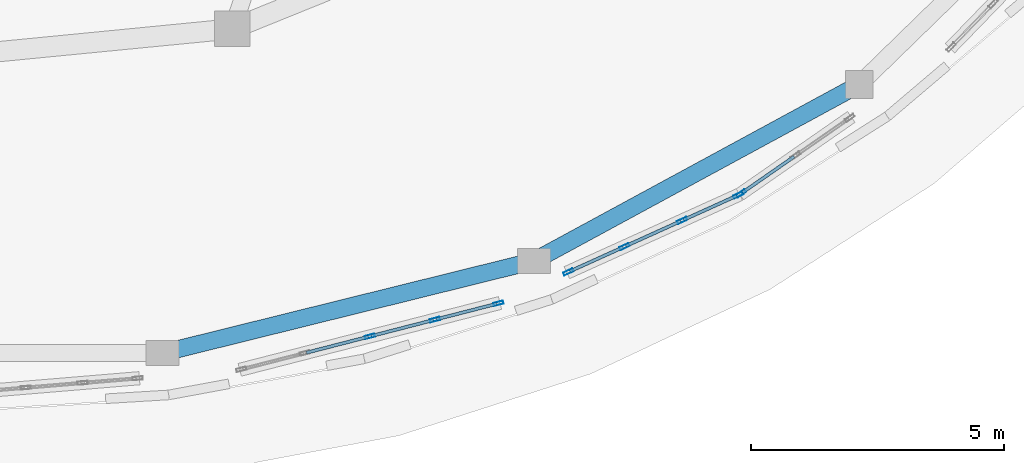
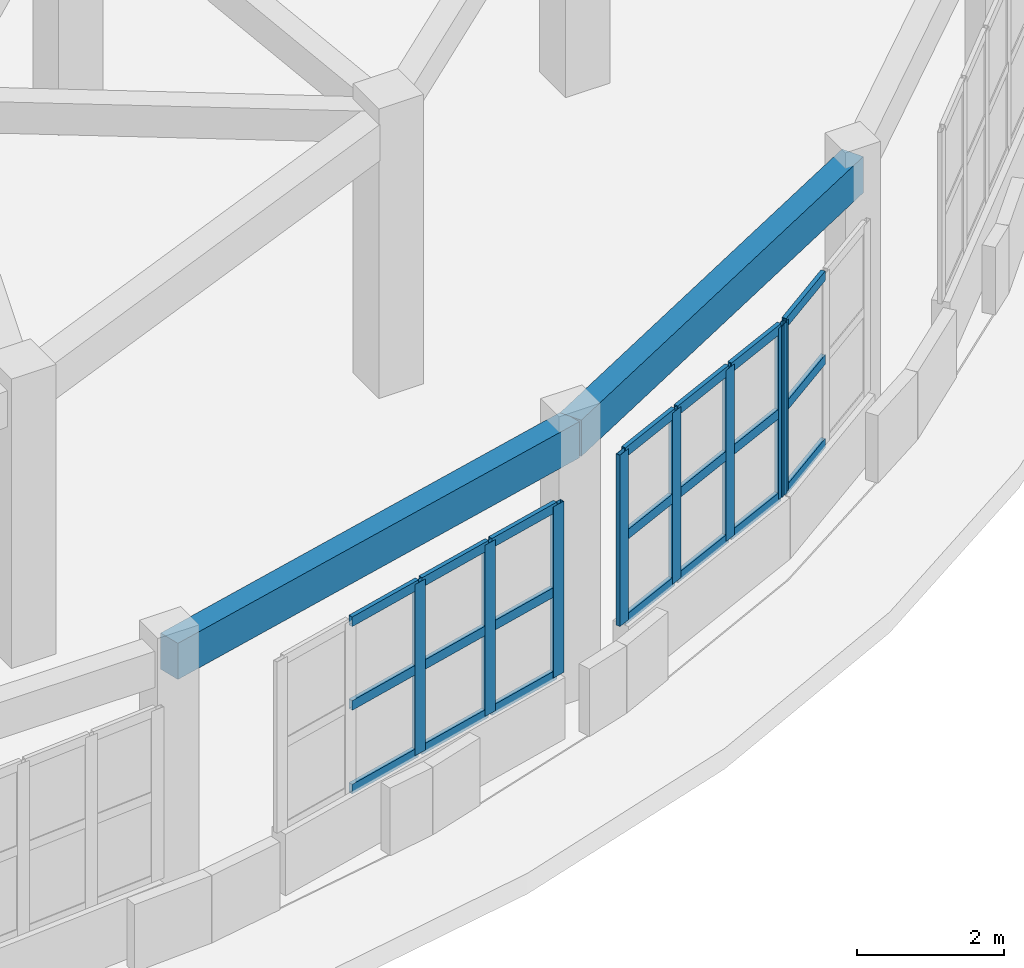
# One storey, part 29 of 98: 29 members, 2 beams, 3 elements without a shape of their own.
"""IFC4 building model written with IfcOpenShell, lengths in metres."""

from ifc_helpers import new_model, si_unit, direction, frame, origin, origin_2d, place, context, subcontext, project, spatial, rectangle, hollow_rectangle, extrude, material, layer, layer_set, material_profile, profile_set, type_object, element, aggregate, save


model = new_model("IFC4")

# Units and contexts
model_context = context("Model", 3, precision=1e-05, world=origin(), true_north=direction((0.0, 1.0)))
body_context = subcontext(model_context, "Body", "Model", "MODEL_VIEW")
ifc_project = project(units=[si_unit("LENGTHUNIT", "METRE"), si_unit("AREAUNIT", "SQUARE_METRE"), si_unit("VOLUMEUNIT", "CUBIC_METRE"), si_unit("PLANEANGLEUNIT", "RADIAN"), si_unit("MASSUNIT", "GRAM", prefix="KILO")], contexts=[model_context])

# Site, building, storey
site_placement = place(None, origin())
site = spatial("IfcSite", under=ifc_project, at=site_placement, CompositionType="ELEMENT")
building_placement = place(site_placement, origin())
building = spatial("IfcBuilding", under=site, at=building_placement, Name="Pelvatis Terrace Science Centre", CompositionType="ELEMENT")
storey_placement = place(building_placement, frame((0.0, 0.0, 5.39990234375)))
storey = spatial("IfcBuildingStorey", under=building, at=storey_placement, Name="L01", CompositionType="ELEMENT", Elevation=5.39990234375)

# Curtain wall, members
ifc_material_1 = material(Name="Bronze-anodised aluminium and laminated glass", Category="aluminium")
ifc_layer = layer(ifc_material_1, 0.199951171875)
ifc_layer_set = layer_set([ifc_layer], Name="Bronze-anodised aluminium and laminated glass")
curtain_wall_type = type_object("IfcCurtainWallType", Name="CW-RIBBON-B", PredefinedType="NOTDEFINED", material=ifc_layer_set)
curtain_wall_1_placement = place(storey_placement, origin())
curtain_wall_1 = element("IfcCurtainWall", 1, at=curtain_wall_1_placement, inside=storey, type_object=curtain_wall_type, Name="Ribbon curtain wall CW-148 (L01)", PredefinedType="NOTDEFINED")
ifc_material_2 = material(Name="Bronze-anodised aluminium 6063-T6", Category="aluminium")
ifc_material_profile_1 = material_profile(ifc_material_2, hollow_rectangle(XDim=0.06494140625, YDim=0.199951171875, WallThickness=0.00439453125, at=origin_2d()), Name="ALU-MUL 65x200")
ifc_profile_set_1 = profile_set([ifc_material_profile_1], Name="Bronze-anodised aluminium 6063-T6")
member_type_1 = type_object("IfcMemberType", Name="CWM-65x200", PredefinedType="MULLION", material=ifc_profile_set_1)
member_1_placement = place(storey_placement, frame((119.030029296875, 60.658203125, 1.02001953125), z_axis=(0.0, 0.0, 1.0), x_axis=(-0.248854534923, 0.968540871852, 0.0)))
member_1 = element("IfcMember", 2, at=member_1_placement, type_object=member_type_1, Name="CW-148 mullion 3", PredefinedType="MULLION", context=body_context, shape_type="SweptSolid", body=[
    extrude(hollow_rectangle(XDim=0.06494140625, YDim=0.199951171875, WallThickness=0.00439453125, at=origin_2d()), origin(), (0.0, 0.0, 1.0), 2.840087890625),
])
member_2_placement = place(storey_placement, frame((120.3173828125, 60.989013671875, 1.02001953125), z_axis=(0.0, 0.0, 1.0), x_axis=(-0.248854534923, 0.968540871852, 0.0)))
member_2 = element("IfcMember", 3, at=member_2_placement, type_object=member_type_1, Name="CW-148 mullion 4", PredefinedType="MULLION", context=body_context, shape_type="SweptSolid", body=[
    extrude(hollow_rectangle(XDim=0.06494140625, YDim=0.199951171875, WallThickness=0.00439453125, at=origin_2d()), origin(), (0.0, 0.0, 1.0), 2.840087890625),
])
member_3_placement = place(storey_placement, frame((121.5732421875, 61.311767578125, 1.02001953125), z_axis=(0.0, 0.0, 1.0), x_axis=(-0.248854534923, 0.968540871852, 0.0)))
member_3 = element("IfcMember", 4, at=member_3_placement, type_object=member_type_1, Name="CW-148 mullion 5", PredefinedType="MULLION", context=body_context, shape_type="SweptSolid", body=[
    extrude(hollow_rectangle(XDim=0.06494140625, YDim=0.199951171875, WallThickness=0.00439453125, at=origin_2d()), origin(), (0.0, 0.0, 1.0), 2.840087890625),
])

curtain_wall_2_placement = place(storey_placement, origin())
curtain_wall_2 = element("IfcCurtainWall", 5, at=curtain_wall_2_placement, inside=storey, type_object=curtain_wall_type, Name="Ribbon curtain wall CW-149 (L01)", PredefinedType="NOTDEFINED")
member_4_placement = place(storey_placement, frame((122.958251953125, 61.9326171875, 1.02001953125), z_axis=(0.0, 0.0, 1.0), x_axis=(-0.412430433047, 0.910989098671, 0.0)))
member_4 = element("IfcMember", 6, at=member_4_placement, type_object=member_type_1, Name="CW-149 mullion 1", PredefinedType="MULLION", context=body_context, shape_type="SweptSolid", body=[
    extrude(hollow_rectangle(XDim=0.06494140625, YDim=0.199951171875, WallThickness=0.00439453125, at=origin_2d()), origin(), (0.0, 0.0, 1.0), 2.840087890625),
])
member_5_placement = place(storey_placement, frame((124.0693359375, 62.435546875, 1.02001953125), z_axis=(0.0, 0.0, 1.0), x_axis=(-0.412430433047, 0.910989098671, 0.0)))
member_5 = element("IfcMember", 7, at=member_5_placement, type_object=member_type_1, Name="CW-149 mullion 2", PredefinedType="MULLION", context=body_context, shape_type="SweptSolid", body=[
    extrude(hollow_rectangle(XDim=0.06494140625, YDim=0.199951171875, WallThickness=0.00439453125, at=origin_2d()), origin(), (0.0, 0.0, 1.0), 2.840087890625),
])
member_6_placement = place(storey_placement, frame((125.209716796875, 62.951904296875, 1.02001953125), z_axis=(0.0, 0.0, 1.0), x_axis=(-0.412430433047, 0.910989098671, 0.0)))
member_6 = element("IfcMember", 8, at=member_6_placement, type_object=member_type_1, Name="CW-149 mullion 3", PredefinedType="MULLION", context=body_context, shape_type="SweptSolid", body=[
    extrude(hollow_rectangle(XDim=0.06494140625, YDim=0.199951171875, WallThickness=0.00439453125, at=origin_2d()), origin(), (0.0, 0.0, 1.0), 2.840087890625),
])
member_7_placement = place(storey_placement, frame((126.32080078125, 63.454833984375, 1.02001953125), z_axis=(0.0, 0.0, 1.0), x_axis=(-0.412430433047, 0.910989098671, 0.0)))
member_7 = element("IfcMember", 9, at=member_7_placement, type_object=member_type_1, Name="CW-149 mullion 4", PredefinedType="MULLION", context=body_context, shape_type="SweptSolid", body=[
    extrude(hollow_rectangle(XDim=0.06494140625, YDim=0.199951171875, WallThickness=0.00439453125, at=origin_2d()), origin(), (0.0, 0.0, 1.0), 2.840087890625),
])

# Curtain wall, member
curtain_wall_3_placement = place(storey_placement, origin())
curtain_wall_3 = element("IfcCurtainWall", 10, at=curtain_wall_3_placement, inside=storey, type_object=curtain_wall_type, Name="Ribbon curtain wall CW-150 (L01)", PredefinedType="NOTDEFINED")
member_8_placement = place(storey_placement, frame((126.377197265625, 63.48681640625, 1.02001953125), z_axis=(0.0, 0.0, 1.0), x_axis=(-0.570774124672, 0.821107117619, 0.0)))
member_8 = element("IfcMember", 11, at=member_8_placement, type_object=member_type_1, Name="CW-150 mullion 1", PredefinedType="MULLION", context=body_context, shape_type="SweptSolid", body=[
    extrude(hollow_rectangle(XDim=0.06494140625, YDim=0.199951171875, WallThickness=0.00439453125, at=origin_2d()), origin(), (0.0, 0.0, 1.0), 2.840087890625),
])

# Member
ifc_material_3 = material(Name="Bronze-anodised aluminium 6063-T6", Category="aluminium")
ifc_material_profile_2 = material_profile(ifc_material_3, hollow_rectangle(XDim=0.06494140625, YDim=0.159912109375, WallThickness=0.00390625, at=origin_2d()), Name="ALU-TRN 65x160")
ifc_profile_set_2 = profile_set([ifc_material_profile_2], Name="Bronze-anodised aluminium 6063-T6")
member_type_2 = type_object("IfcMemberType", Name="CWT-65x160", PredefinedType="USERDEFINED", material=ifc_profile_set_2)
member_9_placement = place(storey_placement, frame((117.774169921875, 60.33544921875, 1.052490234375), z_axis=(0.968519544536, 0.248937526003, 0.0), x_axis=(-0.248937526003, 0.968519544536, 0.0)))
member_9 = element("IfcMember", 12, at=member_9_placement, type_object=member_type_2, Name="CW-148 transom 2.1", ObjectType="TRANSOM", PredefinedType="USERDEFINED", context=body_context, shape_type="SweptSolid", body=[
    extrude(hollow_rectangle(XDim=0.06494140625, YDim=0.159912109375, WallThickness=0.00390625, at=origin_2d()), origin(), (0.0, 0.0, 1.0), 1.26416015625),
])

member_10_placement = place(storey_placement, frame((117.774169921875, 60.33544921875, 2.440185546875), z_axis=(0.968519544536, 0.248937526003, 0.0), x_axis=(-0.248937526003, 0.968519544536, 0.0)))
member_10 = element("IfcMember", 13, at=member_10_placement, type_object=member_type_2, Name="CW-148 transom 2.2", ObjectType="TRANSOM", PredefinedType="USERDEFINED", context=body_context, shape_type="SweptSolid", body=[
    extrude(hollow_rectangle(XDim=0.06494140625, YDim=0.159912109375, WallThickness=0.00390625, at=origin_2d()), origin(), (0.0, 0.0, 1.0), 1.26416015625),
])

member_11_placement = place(storey_placement, frame((117.774169921875, 60.33544921875, 3.82763671875), z_axis=(0.968519544536, 0.248937526003, 0.0), x_axis=(-0.248937526003, 0.968519544536, 0.0)))
member_11 = element("IfcMember", 14, at=member_11_placement, type_object=member_type_2, Name="CW-148 transom 2.3", ObjectType="TRANSOM", PredefinedType="USERDEFINED", context=body_context, shape_type="SweptSolid", body=[
    extrude(hollow_rectangle(XDim=0.06494140625, YDim=0.159912109375, WallThickness=0.00390625, at=origin_2d()), origin(), (0.0, 0.0, 1.0), 1.26416015625),
])

member_12_placement = place(storey_placement, frame((119.0615234375, 60.666259765625, 1.052490234375), z_axis=(0.968519544536, 0.248937526003, 0.0), x_axis=(-0.248937526003, 0.968519544536, 0.0)))
member_12 = element("IfcMember", 15, at=member_12_placement, type_object=member_type_2, Name="CW-148 transom 3.1", ObjectType="TRANSOM", PredefinedType="USERDEFINED", context=body_context, shape_type="SweptSolid", body=[
    extrude(hollow_rectangle(XDim=0.06494140625, YDim=0.159912109375, WallThickness=0.00390625, at=origin_2d()), origin(), (0.0, 0.0, 1.0), 1.26416015625),
])

member_13_placement = place(storey_placement, frame((119.0615234375, 60.666259765625, 2.440185546875), z_axis=(0.968519544536, 0.248937526003, 0.0), x_axis=(-0.248937526003, 0.968519544536, 0.0)))
member_13 = element("IfcMember", 16, at=member_13_placement, type_object=member_type_2, Name="CW-148 transom 3.2", ObjectType="TRANSOM", PredefinedType="USERDEFINED", context=body_context, shape_type="SweptSolid", body=[
    extrude(hollow_rectangle(XDim=0.06494140625, YDim=0.159912109375, WallThickness=0.00390625, at=origin_2d()), origin(), (0.0, 0.0, 1.0), 1.26416015625),
])

member_14_placement = place(storey_placement, frame((119.0615234375, 60.666259765625, 3.82763671875), z_axis=(0.968519544536, 0.248937526003, 0.0), x_axis=(-0.248937526003, 0.968519544536, 0.0)))
member_14 = element("IfcMember", 17, at=member_14_placement, type_object=member_type_2, Name="CW-148 transom 3.3", ObjectType="TRANSOM", PredefinedType="USERDEFINED", context=body_context, shape_type="SweptSolid", body=[
    extrude(hollow_rectangle(XDim=0.06494140625, YDim=0.159912109375, WallThickness=0.00390625, at=origin_2d()), origin(), (0.0, 0.0, 1.0), 1.26416015625),
])

member_15_placement = place(storey_placement, frame((120.348876953125, 60.9970703125, 1.052490234375), z_axis=(0.96851205375, 0.248966667931, 0.0), x_axis=(-0.248966667931, 0.96851205375, 0.0)))
member_15 = element("IfcMember", 18, at=member_15_placement, type_object=member_type_2, Name="CW-148 transom 4.1", ObjectType="TRANSOM", PredefinedType="USERDEFINED", context=body_context, shape_type="SweptSolid", body=[
    extrude(hollow_rectangle(XDim=0.06494140625, YDim=0.159912109375, WallThickness=0.00390625, at=origin_2d()), origin(), (0.0, 0.0, 1.0), 1.231689453125),
])

member_16_placement = place(storey_placement, frame((120.348876953125, 60.9970703125, 2.440185546875), z_axis=(0.96851205375, 0.248966667931, 0.0), x_axis=(-0.248966667931, 0.96851205375, 0.0)))
member_16 = element("IfcMember", 19, at=member_16_placement, type_object=member_type_2, Name="CW-148 transom 4.2", ObjectType="TRANSOM", PredefinedType="USERDEFINED", context=body_context, shape_type="SweptSolid", body=[
    extrude(hollow_rectangle(XDim=0.06494140625, YDim=0.159912109375, WallThickness=0.00390625, at=origin_2d()), origin(), (0.0, 0.0, 1.0), 1.231689453125),
])

member_17_placement = place(storey_placement, frame((120.348876953125, 60.9970703125, 3.82763671875), z_axis=(0.96851205375, 0.248966667931, 0.0), x_axis=(-0.248966667931, 0.96851205375, 0.0)))
member_17 = element("IfcMember", 20, at=member_17_placement, type_object=member_type_2, Name="CW-148 transom 4.3", ObjectType="TRANSOM", PredefinedType="USERDEFINED", context=body_context, shape_type="SweptSolid", body=[
    extrude(hollow_rectangle(XDim=0.06494140625, YDim=0.159912109375, WallThickness=0.00390625, at=origin_2d()), origin(), (0.0, 0.0, 1.0), 1.231689453125),
])

aggregate(curtain_wall_1, [member_1, member_2, member_3, member_9, member_10, member_11, member_12, member_13, member_14, member_15, member_16, member_17])

member_18_placement = place(storey_placement, frame((122.98779296875, 61.946044921875, 1.052490234375), z_axis=(0.911017142365, 0.412368483661, 0.0), x_axis=(-0.412368483661, 0.911017142365, 0.0)))
member_18 = element("IfcMember", 21, at=member_18_placement, type_object=member_type_2, Name="CW-149 transom 1.1", ObjectType="TRANSOM", PredefinedType="USERDEFINED", context=body_context, shape_type="SweptSolid", body=[
    extrude(hollow_rectangle(XDim=0.06494140625, YDim=0.159912109375, WallThickness=0.00390625, at=origin_2d()), origin(), (0.0, 0.0, 1.0), 1.154541015625),
])

member_19_placement = place(storey_placement, frame((122.98779296875, 61.946044921875, 2.440185546875), z_axis=(0.911017142365, 0.412368483661, 0.0), x_axis=(-0.412368483661, 0.911017142365, 0.0)))
member_19 = element("IfcMember", 22, at=member_19_placement, type_object=member_type_2, Name="CW-149 transom 1.2", ObjectType="TRANSOM", PredefinedType="USERDEFINED", context=body_context, shape_type="SweptSolid", body=[
    extrude(hollow_rectangle(XDim=0.06494140625, YDim=0.159912109375, WallThickness=0.00390625, at=origin_2d()), origin(), (0.0, 0.0, 1.0), 1.154541015625),
])

member_20_placement = place(storey_placement, frame((122.98779296875, 61.946044921875, 3.82763671875), z_axis=(0.911017142365, 0.412368483661, 0.0), x_axis=(-0.412368483661, 0.911017142365, 0.0)))
member_20 = element("IfcMember", 23, at=member_20_placement, type_object=member_type_2, Name="CW-149 transom 1.3", ObjectType="TRANSOM", PredefinedType="USERDEFINED", context=body_context, shape_type="SweptSolid", body=[
    extrude(hollow_rectangle(XDim=0.06494140625, YDim=0.159912109375, WallThickness=0.00390625, at=origin_2d()), origin(), (0.0, 0.0, 1.0), 1.154541015625),
])

member_21_placement = place(storey_placement, frame((124.098876953125, 62.448974609375, 1.052490234375), z_axis=(0.910999383935, 0.412407713883, 0.0), x_axis=(-0.412407713883, 0.910999383935, 0.0)))
member_21 = element("IfcMember", 24, at=member_21_placement, type_object=member_type_2, Name="CW-149 transom 2.1", ObjectType="TRANSOM", PredefinedType="USERDEFINED", context=body_context, shape_type="SweptSolid", body=[
    extrude(hollow_rectangle(XDim=0.06494140625, YDim=0.159912109375, WallThickness=0.00390625, at=origin_2d()), origin(), (0.0, 0.0, 1.0), 1.18701171875),
])

member_22_placement = place(storey_placement, frame((124.098876953125, 62.448974609375, 2.440185546875), z_axis=(0.910999383935, 0.412407713883, 0.0), x_axis=(-0.412407713883, 0.910999383935, 0.0)))
member_22 = element("IfcMember", 25, at=member_22_placement, type_object=member_type_2, Name="CW-149 transom 2.2", ObjectType="TRANSOM", PredefinedType="USERDEFINED", context=body_context, shape_type="SweptSolid", body=[
    extrude(hollow_rectangle(XDim=0.06494140625, YDim=0.159912109375, WallThickness=0.00390625, at=origin_2d()), origin(), (0.0, 0.0, 1.0), 1.18701171875),
])

member_23_placement = place(storey_placement, frame((124.098876953125, 62.448974609375, 3.82763671875), z_axis=(0.910999383935, 0.412407713883, 0.0), x_axis=(-0.412407713883, 0.910999383935, 0.0)))
member_23 = element("IfcMember", 26, at=member_23_placement, type_object=member_type_2, Name="CW-149 transom 2.3", ObjectType="TRANSOM", PredefinedType="USERDEFINED", context=body_context, shape_type="SweptSolid", body=[
    extrude(hollow_rectangle(XDim=0.06494140625, YDim=0.159912109375, WallThickness=0.00390625, at=origin_2d()), origin(), (0.0, 0.0, 1.0), 1.18701171875),
])

member_24_placement = place(storey_placement, frame((125.239501953125, 62.96533203125, 1.052490234375), z_axis=(0.911017142365, 0.412368483661, 0.0), x_axis=(-0.412368483661, 0.911017142365, 0.0)))
member_24 = element("IfcMember", 27, at=member_24_placement, type_object=member_type_2, Name="CW-149 transom 3.1", ObjectType="TRANSOM", PredefinedType="USERDEFINED", context=body_context, shape_type="SweptSolid", body=[
    extrude(hollow_rectangle(XDim=0.06494140625, YDim=0.159912109375, WallThickness=0.00390625, at=origin_2d()), origin(), (0.0, 0.0, 1.0), 1.154541015625),
])

member_25_placement = place(storey_placement, frame((125.239501953125, 62.96533203125, 2.440185546875), z_axis=(0.911017142365, 0.412368483661, 0.0), x_axis=(-0.412368483661, 0.911017142365, 0.0)))
member_25 = element("IfcMember", 28, at=member_25_placement, type_object=member_type_2, Name="CW-149 transom 3.2", ObjectType="TRANSOM", PredefinedType="USERDEFINED", context=body_context, shape_type="SweptSolid", body=[
    extrude(hollow_rectangle(XDim=0.06494140625, YDim=0.159912109375, WallThickness=0.00390625, at=origin_2d()), origin(), (0.0, 0.0, 1.0), 1.154541015625),
])

member_26_placement = place(storey_placement, frame((125.239501953125, 62.96533203125, 3.82763671875), z_axis=(0.911017142365, 0.412368483661, 0.0), x_axis=(-0.412368483661, 0.911017142365, 0.0)))
member_26 = element("IfcMember", 29, at=member_26_placement, type_object=member_type_2, Name="CW-149 transom 3.3", ObjectType="TRANSOM", PredefinedType="USERDEFINED", context=body_context, shape_type="SweptSolid", body=[
    extrude(hollow_rectangle(XDim=0.06494140625, YDim=0.159912109375, WallThickness=0.00390625, at=origin_2d()), origin(), (0.0, 0.0, 1.0), 1.154541015625),
])

aggregate(curtain_wall_2, [member_4, member_5, member_6, member_7, member_18, member_19, member_20, member_21, member_22, member_23, member_24, member_25, member_26])

member_27_placement = place(storey_placement, frame((126.40380859375, 63.50537109375, 1.052490234375), z_axis=(0.821089066616, 0.570800091699, 0.0), x_axis=(-0.570800091699, 0.821089066616, 0.0)))
member_27 = element("IfcMember", 30, at=member_27_placement, type_object=member_type_2, Name="CW-150 transom 1.1", ObjectType="TRANSOM", PredefinedType="USERDEFINED", context=body_context, shape_type="SweptSolid", body=[
    extrude(hollow_rectangle(XDim=0.06494140625, YDim=0.159912109375, WallThickness=0.00390625, at=origin_2d()), origin(), (0.0, 0.0, 1.0), 1.24462890625),
])

member_28_placement = place(storey_placement, frame((126.40380859375, 63.50537109375, 2.440185546875), z_axis=(0.821089066616, 0.570800091699, 0.0), x_axis=(-0.570800091699, 0.821089066616, 0.0)))
member_28 = element("IfcMember", 31, at=member_28_placement, type_object=member_type_2, Name="CW-150 transom 1.2", ObjectType="TRANSOM", PredefinedType="USERDEFINED", context=body_context, shape_type="SweptSolid", body=[
    extrude(hollow_rectangle(XDim=0.06494140625, YDim=0.159912109375, WallThickness=0.00390625, at=origin_2d()), origin(), (0.0, 0.0, 1.0), 1.24462890625),
])

member_29_placement = place(storey_placement, frame((126.40380859375, 63.50537109375, 3.82763671875), z_axis=(0.821089066616, 0.570800091699, 0.0), x_axis=(-0.570800091699, 0.821089066616, 0.0)))
member_29 = element("IfcMember", 32, at=member_29_placement, type_object=member_type_2, Name="CW-150 transom 1.3", ObjectType="TRANSOM", PredefinedType="USERDEFINED", context=body_context, shape_type="SweptSolid", body=[
    extrude(hollow_rectangle(XDim=0.06494140625, YDim=0.159912109375, WallThickness=0.00390625, at=origin_2d()), origin(), (0.0, 0.0, 1.0), 1.24462890625),
])

aggregate(curtain_wall_3, [member_8, member_27, member_28, member_29])

# Beams
ifc_material_4 = material(Name="Concrete C35/45", Category="concrete")
ifc_material_profile_3 = material_profile(ifc_material_4, rectangle(XDim=0.340087890625, YDim=0.60009765625, at=origin_2d()), Name="RC-SPN 340x600")
ifc_profile_set_3 = profile_set([ifc_material_profile_3], Name="Concrete C35/45")
beam_type = type_object("IfcBeamType", Name="SPN-RC-340x600", PredefinedType="SPANDREL", material=ifc_profile_set_3)
beam_1_placement = place(storey_placement, frame((114.92822265625, 60.3310546875, 4.239990234375), z_axis=(0.970647009087, 0.240508593923, 0.0), x_axis=(-0.240508593923, 0.970647009087, 0.0)))
element("IfcBeam", 33, at=beam_1_placement, inside=storey, type_object=beam_type, Name="Spandrel SP-L01-2660", PredefinedType="SPANDREL", context=body_context, shape_type="SweptSolid", body=[
    extrude(rectangle(XDim=0.340087890625, YDim=0.60009765625, at=origin_2d()), origin(), (0.0, 0.0, 1.0), 7.568603515625),
])
beam_2_placement = place(storey_placement, frame((122.274658203125, 62.1513671875, 4.239990234375), z_axis=(0.879051735315, 0.476726385509, 0.0), x_axis=(-0.476726385509, 0.879051735315, 0.0)))
element("IfcBeam", 34, at=beam_2_placement, inside=storey, type_object=beam_type, Name="Spandrel SP-L01-2661", PredefinedType="SPANDREL", context=body_context, shape_type="SweptSolid", body=[
    extrude(rectangle(XDim=0.340087890625, YDim=0.60009765625, at=origin_2d()), origin(), (0.0, 0.0, 1.0), 7.327392578125),
])

save(model, "model.ifc")
